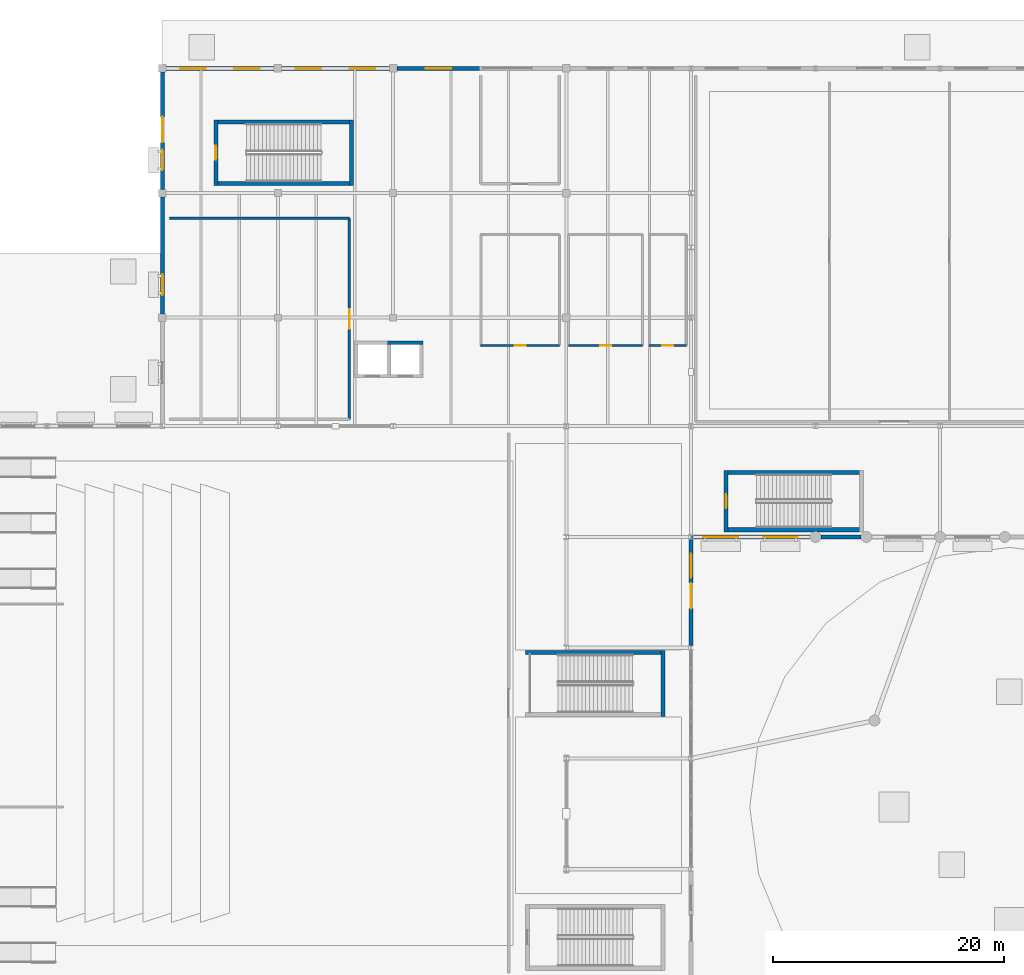
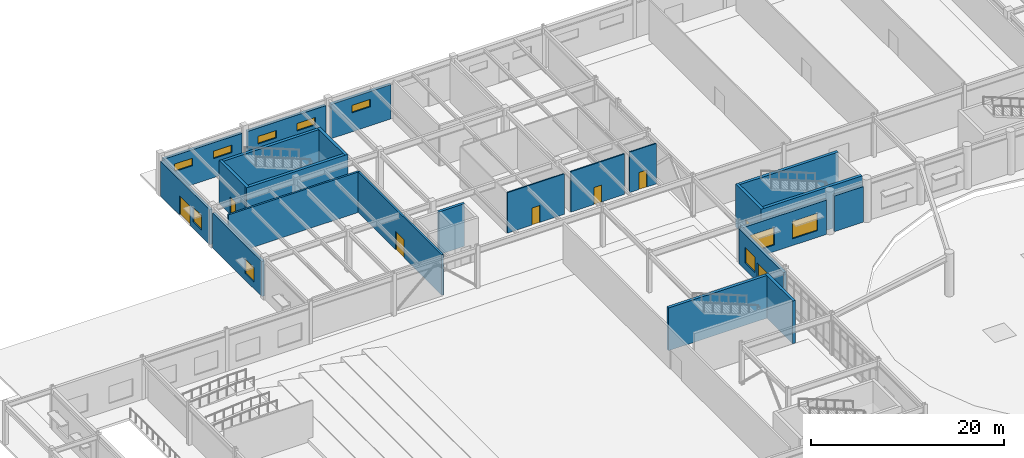
# One storey, part 31 of 54: 23 walls, 10 windows, 8 doors, 18 openings.
"""IFC4 building model written with IfcOpenShell, lengths in metres."""

from ifc_helpers import new_model, si_unit, direction, frame, frame_2d, origin, place, context, subcontext, project, spatial, rectangle, extrude, material, layer, layer_set, type_object, element, fill, save


model = new_model("IFC4")

# Units and contexts
model_context = context("Model", 3, precision=1e-05, world=origin(), true_north=direction((0.0, 1.0)))
body_context = subcontext(model_context, "Body", "Model", "MODEL_VIEW")
ifc_project = project(units=[si_unit("LENGTHUNIT", "METRE"), si_unit("AREAUNIT", "SQUARE_METRE"), si_unit("VOLUMEUNIT", "CUBIC_METRE"), si_unit("PLANEANGLEUNIT", "RADIAN"), si_unit("MASSUNIT", "GRAM", prefix="KILO")], contexts=[model_context])

# Site, building, storey
site_placement = place(None, origin())
site = spatial("IfcSite", under=ifc_project, at=site_placement, CompositionType="ELEMENT")
building_placement = place(site_placement, origin())
building = spatial("IfcBuilding", under=site, at=building_placement, Name="Veldera Park Congress Hotel", CompositionType="ELEMENT")
storey_placement = place(building_placement, origin())
storey = spatial("IfcBuildingStorey", under=building, at=storey_placement, Name="L00", CompositionType="ELEMENT", Elevation=0.0)

# Wall, openings, door, window
ifc_material_1 = material(Name="Cross-laminated timber CLT V2M1.1", Category="wood")
ifc_layer_1 = layer(ifc_material_1, 0.320068359375)
ifc_layer_set_1 = layer_set([ifc_layer_1], Name="Cross-laminated timber CLT V2M1.1")
wall_type_1 = type_object("IfcWallType", Name="EW-CLT320", PredefinedType="STANDARD", material=ifc_layer_set_1)
wall_1_placement = place(storey_placement, frame((-47.39990234375, 57.677001953125, 0.0), z_axis=(0.0, 0.0, 1.0), x_axis=(0.0, -1.0, 0.0)))
wall_1 = element("IfcWall", 1, at=wall_1_placement, inside=storey, type_object=wall_type_1, Name="L00 Exterior Wall EW3-L00-0016", PredefinedType="STANDARD", context=body_context, shape_type="SweptSolid", body=[
    extrude(rectangle(XDim=10.154052734375, YDim=0.320068359375, at=frame_2d((5.0771484375, 0.0))), origin(), (0.0, 0.0, 1.0), 4.422119140625),
])
opening_1_placement = place(wall_1_placement, frame((3.876953125, 0.0, 0.0)))
opening_1 = element("IfcOpeningElement", 2, at=opening_1_placement, cuts=wall_1, Name="Opening ED-EXIT220", PredefinedType="OPENING", context=body_context, shape_type="SweptSolid", body=[
    extrude(rectangle(XDim=2.199951171875, YDim=2.39990234375, at=frame_2d((1.10009765625, 1.199951171875))), frame((0.0, 0.172119140625, 0.0), z_axis=(0.0, -1.0, 0.0), x_axis=(1.0, 0.0, 0.0)), (0.0, 0.0, 1.0), 0.343994140625),
])
opening_2_placement = place(wall_1_placement, frame((6.715576171875, 0.0, 0.85009765625)))
opening_2 = element("IfcOpeningElement", 3, at=opening_2_placement, cuts=wall_1, Name="Opening WIN-1800", PredefinedType="OPENING", context=body_context, shape_type="SweptSolid", body=[
    extrude(rectangle(XDim=1.800048828125, YDim=1.85009765625, at=frame_2d((0.89990234375, 0.925048828125))), frame((0.0, 0.172119140625, 0.0), z_axis=(0.0, -1.0, 0.0), x_axis=(1.0, 0.0, 0.0)), (0.0, 0.0, 1.0), 0.343994140625),
])
ifc_material_2 = material(Name="Anodised Aluminium Alloy 6063-T6", Category="aluminium")
door_type_1 = type_object("IfcDoorType", Name="ED-EXIT220", OperationType="DOUBLE_DOOR_SINGLE_SWING", PredefinedType="DOOR", material=ifc_material_2)
door_1_placement = place(opening_1_placement, frame((2.199951171875, 0.0, 0.0), z_axis=(0.0, 0.0, 1.0), x_axis=(-1.0, 0.0, 0.0)))
door_1 = element("IfcDoor", 4, at=door_1_placement, inside=storey, type_object=door_type_1, Name="Exterior Door ED-09 (DR3-EXT-L00-0010)", OperationType="DOUBLE_DOOR_SINGLE_SWING", OverallHeight=2.39990234375, OverallWidth=2.199951171875, PredefinedType="DOOR", context=body_context, shape_type="SweptSolid", body=[
    extrude(rectangle(XDim=2.199951171875, YDim=2.39990234375, at=frame_2d((1.10009765625, 1.199951171875))), frame((0.0, 0.02490234375, 0.0), z_axis=(0.0, -1.0, 0.0), x_axis=(1.0, 0.0, 0.0)), (0.0, 0.0, 1.0), 0.050048828125),
])
fill(opening_1, door_1)
ifc_material_3 = material(Name="Low-E Triple Insulating Glass Unit (SHGC 0.22)", Category="glass")
window_type_1 = type_object("IfcWindowType", Name="WIN-1800", PartitioningType="SINGLE_PANEL", PredefinedType="WINDOW", material=ifc_material_3)
window_1_placement = place(opening_2_placement, origin())
window_1 = element("IfcWindow", 5, at=window_1_placement, inside=storey, type_object=window_type_1, Name="L00 Window WIN-1800 14", OverallHeight=1.85009765625, OverallWidth=1.800048828125, PartitioningType="SINGLE_PANEL", PredefinedType="WINDOW", context=body_context, shape_type="SweptSolid", body=[
    extrude(rectangle(XDim=1.800048828125, YDim=1.85009765625, at=frame_2d((0.89990234375, 0.925048828125))), frame((0.0, 0.030029296875, 0.0), z_axis=(0.0, -1.0, 0.0), x_axis=(1.0, 0.0, 0.0)), (0.0, 0.0, 1.0), 0.06005859375),
])
fill(opening_2, window_1)

# Wall, opening, window
wall_2_placement = place(storey_placement, frame((-47.39990234375, 46.876953125, 0.0), z_axis=(0.0, 0.0, 1.0), x_axis=(0.0, -1.0, 0.0)))
wall_2 = element("IfcWall", 6, at=wall_2_placement, inside=storey, type_object=wall_type_1, Name="L00 Exterior Wall EW3-L00-0017", PredefinedType="STANDARD", context=body_context, shape_type="SweptSolid", body=[
    extrude(rectangle(XDim=10.154052734375, YDim=0.320068359375, at=frame_2d((5.0771484375, 0.0))), origin(), (0.0, 0.0, 1.0), 4.422119140625),
])
opening_3_placement = place(wall_2_placement, frame((6.715576171875, 0.0, 0.85009765625)))
opening_3 = element("IfcOpeningElement", 7, at=opening_3_placement, cuts=wall_2, Name="Opening WIN-1800", PredefinedType="OPENING", context=body_context, shape_type="SweptSolid", body=[
    extrude(rectangle(XDim=1.800048828125, YDim=1.85009765625, at=frame_2d((0.89990234375, 0.925048828125))), frame((0.0, 0.172119140625, 0.0), z_axis=(0.0, -1.0, 0.0), x_axis=(1.0, 0.0, 0.0)), (0.0, 0.0, 1.0), 0.343994140625),
])
window_2_placement = place(opening_3_placement, origin())
window_2 = element("IfcWindow", 8, at=window_2_placement, inside=storey, type_object=window_type_1, Name="L00 Window WIN-1800 15", OverallHeight=1.85009765625, OverallWidth=1.800048828125, PartitioningType="SINGLE_PANEL", PredefinedType="WINDOW", context=body_context, shape_type="SweptSolid", body=[
    extrude(rectangle(XDim=1.800048828125, YDim=1.85009765625, at=frame_2d((0.89990234375, 0.925048828125))), frame((0.0, 0.030029296875, 0.0), z_axis=(0.0, -1.0, 0.0), x_axis=(1.0, 0.0, 0.0)), (0.0, 0.0, 1.0), 0.06005859375),
])
fill(opening_3, window_2)

# Wall, openings, door, window
ifc_material_4 = material(Name="Architectural Sandstone Cladding (ASTM C616)", Category="masonry")
ifc_layer_2 = layer(ifc_material_4, 0.360107421875)
ifc_layer_set_2 = layer_set([ifc_layer_2], Name="Architectural Sandstone Cladding (ASTM C616)")
wall_type_2 = type_object("IfcWallType", Name="EW-STONE360", PredefinedType="STANDARD", material=ifc_layer_set_2)
wall_3_placement = place(storey_placement, frame((-1.60009765625, 7.988525390625, 0.0), z_axis=(0.0, 0.0, 1.0), x_axis=(0.0, 1.0, 0.0)))
wall_3 = element("IfcWall", 9, at=wall_3_placement, inside=storey, type_object=wall_type_2, Name="L00 Exterior Wall EW3-L00-0012", PredefinedType="STANDARD", context=body_context, shape_type="SweptSolid", body=[
    extrude(rectangle(XDim=9.222900390625, YDim=0.360107421875, at=frame_2d((4.611328125, 0.0))), origin(), (0.0, 0.0, 1.0), 4.422119140625),
])
opening_4_placement = place(wall_3_placement, frame((3.21142578125, 0.0, 0.0)))
opening_4 = element("IfcOpeningElement", 10, at=opening_4_placement, cuts=wall_3, Name="Opening ED-EXIT220", PredefinedType="OPENING", context=body_context, shape_type="SweptSolid", body=[
    extrude(rectangle(XDim=2.199951171875, YDim=2.39990234375, at=frame_2d((1.10009765625, 1.199951171875))), frame((0.0, 0.192138671875, 0.0), z_axis=(0.0, -1.0, 0.0), x_axis=(1.0, 0.0, 0.0)), (0.0, 0.0, 1.0), 0.384033203125),
])
opening_5_placement = place(wall_3_placement, frame((5.8671875, 0.0, 0.85009765625)))
opening_5 = element("IfcOpeningElement", 11, at=opening_5_placement, cuts=wall_3, Name="Opening WIN-2100", PredefinedType="OPENING", context=body_context, shape_type="SweptSolid", body=[
    extrude(rectangle(XDim=2.10009765625, YDim=1.949951171875, at=frame_2d((1.050048828125, 0.97509765625))), frame((0.0, 0.192138671875, 0.0), z_axis=(0.0, -1.0, 0.0), x_axis=(1.0, 0.0, 0.0)), (0.0, 0.0, 1.0), 0.384033203125),
])
door_2_placement = place(opening_4_placement, frame((2.199951171875, 0.0, 0.0), z_axis=(0.0, 0.0, 1.0), x_axis=(-1.0, 0.0, 0.0)))
door_2 = element("IfcDoor", 12, at=door_2_placement, inside=storey, type_object=door_type_1, Name="Exterior Door ED-08 (DR3-EXT-L00-0009)", OperationType="DOUBLE_DOOR_SINGLE_SWING", OverallHeight=2.39990234375, OverallWidth=2.199951171875, PredefinedType="DOOR", context=body_context, shape_type="SweptSolid", body=[
    extrude(rectangle(XDim=2.199951171875, YDim=2.39990234375, at=frame_2d((1.10009765625, 1.199951171875))), frame((0.0, 0.02490234375, 0.0), z_axis=(0.0, -1.0, 0.0), x_axis=(1.0, 0.0, 0.0)), (0.0, 0.0, 1.0), 0.050048828125),
])
fill(opening_4, door_2)
window_type_2 = type_object("IfcWindowType", Name="WIN-2100", PartitioningType="DOUBLE_PANEL_VERTICAL", PredefinedType="WINDOW", material=ifc_material_3)
window_3_placement = place(opening_5_placement, origin())
window_3 = element("IfcWindow", 13, at=window_3_placement, inside=storey, type_object=window_type_2, Name="L00 Window WIN-2100 7", OverallHeight=1.949951171875, OverallWidth=2.10009765625, PartitioningType="DOUBLE_PANEL_VERTICAL", PredefinedType="WINDOW", context=body_context, shape_type="SweptSolid", body=[
    extrude(rectangle(XDim=2.10009765625, YDim=1.949951171875, at=frame_2d((1.050048828125, 0.97509765625))), frame((0.0, 0.030029296875, 0.0), z_axis=(0.0, -1.0, 0.0), x_axis=(1.0, 0.0, 0.0)), (0.0, 0.0, 1.0), 0.06005859375),
])
fill(opening_5, window_3)

# Wall, opening, window
wall_4_placement = place(storey_placement, frame((-19.89794921875, 58.0, 0.0), z_axis=(0.0, 0.0, 1.0), x_axis=(-1.0, 0.0, 0.0)))
wall_4 = element("IfcWall", 14, at=wall_4_placement, inside=storey, type_object=wall_type_2, Name="L00 Exterior Wall EW3-L00-0021", PredefinedType="STANDARD", context=body_context, shape_type="SweptSolid", body=[
    extrude(rectangle(XDim=7.178955078125, YDim=0.360107421875, at=frame_2d((3.58935546875, 0.0))), origin(), (0.0, 0.0, 1.0), 4.3359375),
])
opening_6_placement = place(wall_4_placement, frame((2.489501953125, 0.0, 2.39990234375)))
opening_6 = element("IfcOpeningElement", 15, at=opening_6_placement, cuts=wall_4, Name="Opening WIN-CLR2", PredefinedType="OPENING", context=body_context, shape_type="SweptSolid", body=[
    extrude(rectangle(XDim=2.199951171875, YDim=0.949951171875, at=frame_2d((1.10009765625, 0.47509765625))), frame((0.0, 0.192138671875, 0.0), z_axis=(0.0, -1.0, 0.0), x_axis=(1.0, 0.0, 0.0)), (0.0, 0.0, 1.0), 0.384033203125),
])
window_type_3 = type_object("IfcWindowType", Name="WIN-CLR2", PartitioningType="SINGLE_PANEL", PredefinedType="LIGHTDOME", material=ifc_material_3)
window_4_placement = place(opening_6_placement, origin())
window_4 = element("IfcWindow", 16, at=window_4_placement, inside=storey, type_object=window_type_3, Name="L00 Window WIN-CLR2 19", OverallHeight=0.949951171875, OverallWidth=2.199951171875, PartitioningType="SINGLE_PANEL", PredefinedType="LIGHTDOME", context=body_context, shape_type="SweptSolid", body=[
    extrude(rectangle(XDim=2.199951171875, YDim=0.949951171875, at=frame_2d((1.10009765625, 0.47509765625))), frame((0.0, 0.030029296875, 0.0), z_axis=(0.0, -1.0, 0.0), x_axis=(1.0, 0.0, 0.0)), (0.0, 0.0, 1.0), 0.06005859375),
])
fill(opening_6, window_4)

# Wall, openings, windows
wall_5_placement = place(storey_placement, frame((-27.722900390625, 58.0, 0.0), z_axis=(0.0, 0.0, 1.0), x_axis=(-1.0, 0.0, 0.0)))
wall_5 = element("IfcWall", 17, at=wall_5_placement, inside=storey, type_object=wall_type_2, Name="L00 Exterior Wall EW3-L00-0022", PredefinedType="STANDARD", context=body_context, shape_type="SweptSolid", body=[
    extrude(rectangle(XDim=9.35400390625, YDim=0.360107421875, at=frame_2d((4.677001953125, 0.0))), origin(), (0.0, 0.0, 1.0), 4.4140625),
])
opening_7_placement = place(wall_5_placement, frame((1.238525390625, 0.0, 2.39990234375)))
opening_7 = element("IfcOpeningElement", 18, at=opening_7_placement, cuts=wall_5, Name="Opening WIN-CLR2", PredefinedType="OPENING", context=body_context, shape_type="SweptSolid", body=[
    extrude(rectangle(XDim=2.199951171875, YDim=0.949951171875, at=frame_2d((1.10009765625, 0.47509765625))), frame((0.0, 0.192138671875, 0.0), z_axis=(0.0, -1.0, 0.0), x_axis=(1.0, 0.0, 0.0)), (0.0, 0.0, 1.0), 0.384033203125),
])
opening_8_placement = place(wall_5_placement, frame((5.91552734375, 0.0, 2.39990234375)))
opening_8 = element("IfcOpeningElement", 19, at=opening_8_placement, cuts=wall_5, Name="Opening WIN-CLR2", PredefinedType="OPENING", context=body_context, shape_type="SweptSolid", body=[
    extrude(rectangle(XDim=2.199951171875, YDim=0.949951171875, at=frame_2d((1.10009765625, 0.47509765625))), frame((0.0, 0.192138671875, 0.0), z_axis=(0.0, -1.0, 0.0), x_axis=(1.0, 0.0, 0.0)), (0.0, 0.0, 1.0), 0.384033203125),
])
window_5_placement = place(opening_7_placement, origin())
window_5 = element("IfcWindow", 20, at=window_5_placement, inside=storey, type_object=window_type_3, Name="L00 Window WIN-CLR2 20", OverallHeight=0.949951171875, OverallWidth=2.199951171875, PartitioningType="SINGLE_PANEL", PredefinedType="LIGHTDOME", context=body_context, shape_type="SweptSolid", body=[
    extrude(rectangle(XDim=2.199951171875, YDim=0.949951171875, at=frame_2d((1.10009765625, 0.47509765625))), frame((0.0, 0.030029296875, 0.0), z_axis=(0.0, -1.0, 0.0), x_axis=(1.0, 0.0, 0.0)), (0.0, 0.0, 1.0), 0.06005859375),
])
fill(opening_7, window_5)
window_6_placement = place(opening_8_placement, origin())
window_6 = element("IfcWindow", 21, at=window_6_placement, inside=storey, type_object=window_type_3, Name="L00 Window WIN-CLR2 21", OverallHeight=0.949951171875, OverallWidth=2.199951171875, PartitioningType="SINGLE_PANEL", PredefinedType="LIGHTDOME", context=body_context, shape_type="SweptSolid", body=[
    extrude(rectangle(XDim=2.199951171875, YDim=0.949951171875, at=frame_2d((1.10009765625, 0.47509765625))), frame((0.0, 0.030029296875, 0.0), z_axis=(0.0, -1.0, 0.0), x_axis=(1.0, 0.0, 0.0)), (0.0, 0.0, 1.0), 0.06005859375),
])
fill(opening_8, window_6)

wall_6_placement = place(storey_placement, frame((-37.722900390625, 58.0, 0.0), z_axis=(0.0, 0.0, 1.0), x_axis=(-1.0, 0.0, 0.0)))
wall_6 = element("IfcWall", 22, at=wall_6_placement, inside=storey, type_object=wall_type_2, Name="L00 Exterior Wall EW3-L00-0023", PredefinedType="STANDARD", context=body_context, shape_type="SweptSolid", body=[
    extrude(rectangle(XDim=9.35400390625, YDim=0.360107421875, at=frame_2d((4.677001953125, 0.0))), origin(), (0.0, 0.0, 1.0), 4.4140625),
])
opening_9_placement = place(wall_6_placement, frame((1.238525390625, 0.0, 2.39990234375)))
opening_9 = element("IfcOpeningElement", 23, at=opening_9_placement, cuts=wall_6, Name="Opening WIN-CLR2", PredefinedType="OPENING", context=body_context, shape_type="SweptSolid", body=[
    extrude(rectangle(XDim=2.199951171875, YDim=0.949951171875, at=frame_2d((1.10009765625, 0.47509765625))), frame((0.0, 0.192138671875, 0.0), z_axis=(0.0, -1.0, 0.0), x_axis=(1.0, 0.0, 0.0)), (0.0, 0.0, 1.0), 0.384033203125),
])
opening_10_placement = place(wall_6_placement, frame((5.91552734375, 0.0, 2.39990234375)))
opening_10 = element("IfcOpeningElement", 24, at=opening_10_placement, cuts=wall_6, Name="Opening WIN-CLR2", PredefinedType="OPENING", context=body_context, shape_type="SweptSolid", body=[
    extrude(rectangle(XDim=2.199951171875, YDim=0.949951171875, at=frame_2d((1.10009765625, 0.47509765625))), frame((0.0, 0.192138671875, 0.0), z_axis=(0.0, -1.0, 0.0), x_axis=(1.0, 0.0, 0.0)), (0.0, 0.0, 1.0), 0.384033203125),
])
window_7_placement = place(opening_9_placement, origin())
window_7 = element("IfcWindow", 25, at=window_7_placement, inside=storey, type_object=window_type_3, Name="L00 Window WIN-CLR2 22", OverallHeight=0.949951171875, OverallWidth=2.199951171875, PartitioningType="SINGLE_PANEL", PredefinedType="LIGHTDOME", context=body_context, shape_type="SweptSolid", body=[
    extrude(rectangle(XDim=2.199951171875, YDim=0.949951171875, at=frame_2d((1.10009765625, 0.47509765625))), frame((0.0, 0.030029296875, 0.0), z_axis=(0.0, -1.0, 0.0), x_axis=(1.0, 0.0, 0.0)), (0.0, 0.0, 1.0), 0.06005859375),
])
fill(opening_9, window_7)
window_8_placement = place(opening_10_placement, origin())
window_8 = element("IfcWindow", 26, at=window_8_placement, inside=storey, type_object=window_type_3, Name="L00 Window WIN-CLR2 23", OverallHeight=0.949951171875, OverallWidth=2.199951171875, PartitioningType="SINGLE_PANEL", PredefinedType="LIGHTDOME", context=body_context, shape_type="SweptSolid", body=[
    extrude(rectangle(XDim=2.199951171875, YDim=0.949951171875, at=frame_2d((1.10009765625, 0.47509765625))), frame((0.0, 0.030029296875, 0.0), z_axis=(0.0, -1.0, 0.0), x_axis=(1.0, 0.0, 0.0)), (0.0, 0.0, 1.0), 0.06005859375),
])
fill(opening_10, window_8)

wall_7_placement = place(storey_placement, frame((-1.592529296875, 17.39990234375, 0.0), z_axis=(0.0, 0.0, 1.0), x_axis=(1.0, 0.0, 0.0)))
wall_7 = element("IfcWall", 27, at=wall_7_placement, inside=storey, type_object=wall_type_2, Name="L00 Exterior Wall EW3-L00-0031", PredefinedType="STANDARD", context=body_context, shape_type="SweptSolid", body=[
    extrude(rectangle(XDim=10.319580078125, YDim=0.360107421875, at=frame_2d((5.15966796875, 0.0))), origin(), (0.0, 0.0, 1.0), 4.3359375),
])
opening_11_placement = place(wall_7_placement, frame((1.079833984375, 0.0, 0.85009765625)))
opening_11 = element("IfcOpeningElement", 28, at=opening_11_placement, cuts=wall_7, Name="Opening WIN-3000", PredefinedType="OPENING", context=body_context, shape_type="SweptSolid", body=[
    extrude(rectangle(XDim=3.0, YDim=2.199951171875, at=frame_2d((1.5, 1.10009765625))), frame((0.0, 0.192138671875, 0.0), z_axis=(0.0, -1.0, 0.0), x_axis=(1.0, 0.0, 0.0)), (0.0, 0.0, 1.0), 0.384033203125),
])
opening_12_placement = place(wall_7_placement, frame((6.23974609375, 0.0, 0.85009765625)))
opening_12 = element("IfcOpeningElement", 29, at=opening_12_placement, cuts=wall_7, Name="Opening WIN-3000", PredefinedType="OPENING", context=body_context, shape_type="SweptSolid", body=[
    extrude(rectangle(XDim=3.0, YDim=2.199951171875, at=frame_2d((1.5, 1.10009765625))), frame((0.0, 0.192138671875, 0.0), z_axis=(0.0, -1.0, 0.0), x_axis=(1.0, 0.0, 0.0)), (0.0, 0.0, 1.0), 0.384033203125),
])
window_type_4 = type_object("IfcWindowType", Name="WIN-3000", PartitioningType="TRIPLE_PANEL_VERTICAL", PredefinedType="WINDOW", material=ifc_material_3)
window_9_placement = place(opening_11_placement, origin())
window_9 = element("IfcWindow", 30, at=window_9_placement, inside=storey, type_object=window_type_4, Name="L00 Window WIN-3000 31", OverallHeight=2.199951171875, OverallWidth=3.0, PartitioningType="TRIPLE_PANEL_VERTICAL", PredefinedType="WINDOW", context=body_context, shape_type="SweptSolid", body=[
    extrude(rectangle(XDim=3.0, YDim=2.199951171875, at=frame_2d((1.5, 1.10009765625))), frame((0.0, 0.030029296875, 0.0), z_axis=(0.0, -1.0, 0.0), x_axis=(1.0, 0.0, 0.0)), (0.0, 0.0, 1.0), 0.06005859375),
])
fill(opening_11, window_9)
window_10_placement = place(opening_12_placement, origin())
window_10 = element("IfcWindow", 31, at=window_10_placement, inside=storey, type_object=window_type_4, Name="L00 Window WIN-3000 32", OverallHeight=2.199951171875, OverallWidth=3.0, PartitioningType="TRIPLE_PANEL_VERTICAL", PredefinedType="WINDOW", context=body_context, shape_type="SweptSolid", body=[
    extrude(rectangle(XDim=3.0, YDim=2.199951171875, at=frame_2d((1.5, 1.10009765625))), frame((0.0, 0.030029296875, 0.0), z_axis=(0.0, -1.0, 0.0), x_axis=(1.0, 0.0, 0.0)), (0.0, 0.0, 1.0), 0.06005859375),
])
fill(opening_12, window_10)

# Wall
wall_8_placement = place(storey_placement, frame((9.673095703125, 17.39990234375, 0.0), z_axis=(0.0, 0.0, 1.0), x_axis=(1.0, 0.0, 0.0)))
element("IfcWall", 32, at=wall_8_placement, inside=storey, type_object=wall_type_2, Name="L00 Exterior Wall EW3-L00-0032", PredefinedType="STANDARD", context=body_context, shape_type="SweptSolid", body=[
    extrude(rectangle(XDim=3.453857421875, YDim=0.360107421875, at=frame_2d((1.72705078125, 0.0))), origin(), (0.0, 0.0, 1.0), 4.5029296875),
])

# Wall, opening, door
ifc_material_5 = material(Name="Concrete f'c 40 MPa (5,800 psi)", Category="concrete")
ifc_layer_3 = layer(ifc_material_5, 0.219970703125)
ifc_layer_set_3 = layer_set([ifc_layer_3], Name="Concrete f'c 40 MPa (5,800 psi)")
wall_type_3 = type_object("IfcWallType", Name="IW-FIRE220", PredefinedType="STANDARD", material=ifc_layer_set_3)
wall_9_placement = place(storey_placement, frame((-31.199951171875, 27.60009765625, 0.0), z_axis=(0.0, 0.0, 1.0), x_axis=(0.0, 1.0, 0.0)))
wall_9 = element("IfcWall", 33, at=wall_9_placement, inside=storey, type_object=wall_type_3, Name="L00 Partition Wall IW3-L00-00050", PredefinedType="STANDARD", context=body_context, shape_type="SweptSolid", body=[
    extrude(rectangle(XDim=17.39990234375, YDim=0.219970703125, at=frame_2d((8.699951171875, 0.0))), origin(), (0.0, 0.0, 1.0), 5.1201171875),
])
opening_13_placement = place(wall_9_placement, frame((7.85009765625, 0.0, 0.0)))
opening_13 = element("IfcOpeningElement", 34, at=opening_13_placement, cuts=wall_9, Name="Opening ID-HALL170", PredefinedType="OPENING", context=body_context, shape_type="SweptSolid", body=[
    extrude(rectangle(XDim=1.699951171875, YDim=2.300048828125, at=frame_2d((0.85009765625, 1.14990234375))), frame((0.0, 0.1220703125, 0.0), z_axis=(0.0, -1.0, 0.0), x_axis=(1.0, 0.0, 0.0)), (0.0, 0.0, 1.0), 0.243896484375),
])
ifc_material_6 = material(Name="Solid Core White Oak Architectural Door", Category="wood")
door_type_2 = type_object("IfcDoorType", Name="ID-HALL170", OperationType="DOUBLE_DOOR_SINGLE_SWING", PredefinedType="DOOR", material=ifc_material_6)
door_3_placement = place(opening_13_placement, origin())
door_3 = element("IfcDoor", 35, at=door_3_placement, inside=storey, type_object=door_type_2, Name="L00 Main Banquet Production Kitchen Door ID3-L00-0019 (DR3-ID3-L00-0019)", OperationType="DOUBLE_DOOR_SINGLE_SWING", OverallHeight=2.300048828125, OverallWidth=1.699951171875, PredefinedType="DOOR", context=body_context, shape_type="SweptSolid", body=[
    extrude(rectangle(XDim=1.699951171875, YDim=2.300048828125, at=frame_2d((0.85009765625, 1.14990234375))), frame((0.0, 0.02490234375, 0.0), z_axis=(0.0, -1.0, 0.0), x_axis=(1.0, 0.0, 0.0)), (0.0, 0.0, 1.0), 0.050048828125),
])
fill(opening_13, door_3)

# Wall
wall_10_placement = place(storey_placement, frame((-31.199951171875, 45.0, 0.0), z_axis=(0.0, 0.0, 1.0), x_axis=(-1.0, 0.0, 0.0)))
element("IfcWall", 36, at=wall_10_placement, inside=storey, type_object=wall_type_3, Name="L00 Partition Wall IW3-L00-00051", PredefinedType="STANDARD", context=body_context, shape_type="SweptSolid", body=[
    extrude(rectangle(XDim=15.60009765625, YDim=0.219970703125, at=frame_2d((7.800048828125, 0.0))), origin(), (0.0, 0.0, 1.0), 5.1201171875),
])

# Wall, opening, door
ifc_material_7 = material(Name="Fire-Rated Gypsum Board on Cold-Formed Steel Studs", Category="steel")
ifc_layer_4 = layer(ifc_material_7, 0.14990234375)
ifc_layer_set_4 = layer_set([ifc_layer_4], Name="Fire-Rated Gypsum Board on Cold-Formed Steel Studs")
wall_type_4 = type_object("IfcWallType", Name="IW-PLMB150", PredefinedType="PLUMBINGWALL", material=ifc_layer_set_4)
wall_11_placement = place(storey_placement, frame((-19.800048828125, 34.0, 0.0), z_axis=(0.0, 0.0, 1.0), x_axis=(1.0, 0.0, 0.0)))
wall_11 = element("IfcWall", 37, at=wall_11_placement, inside=storey, type_object=wall_type_4, Name="L00 Partition Wall IW3-L00-00052", PredefinedType="PLUMBINGWALL", context=body_context, shape_type="SweptSolid", body=[
    extrude(rectangle(XDim=6.800048828125, YDim=0.14990234375, at=frame_2d((3.39990234375, 0.0))), origin(), (0.0, 0.0, 1.0), 5.1201171875),
])
opening_14_placement = place(wall_11_placement, frame((2.925048828125, 0.0, 0.0)))
opening_14 = element("IfcOpeningElement", 38, at=opening_14_placement, cuts=wall_11, Name="Opening ID-WC095", PredefinedType="OPENING", context=body_context, shape_type="SweptSolid", body=[
    extrude(rectangle(XDim=0.949951171875, YDim=2.14990234375, at=frame_2d((0.47509765625, 1.074951171875))), frame((0.0, 0.0869140625, 0.0), z_axis=(0.0, -1.0, 0.0), x_axis=(1.0, 0.0, 0.0)), (0.0, 0.0, 1.0), 0.173828125),
])
door_type_3 = type_object("IfcDoorType", Name="ID-WC095", OperationType="NOTDEFINED", PredefinedType="DOOR", material=ifc_material_6)
door_4_placement = place(opening_14_placement, origin())
door_4 = element("IfcDoor", 39, at=door_4_placement, inside=storey, type_object=door_type_3, Name="L00 Congress Public Male WC Door ID3-L00-0020 (DR3-ID3-L00-0020)", OperationType="SINGLE_SWING_LEFT", OverallHeight=2.14990234375, OverallWidth=0.949951171875, PredefinedType="DOOR", context=body_context, shape_type="SweptSolid", body=[
    extrude(rectangle(XDim=0.949951171875, YDim=2.14990234375, at=frame_2d((0.47509765625, 1.074951171875))), frame((0.0, 0.02490234375, 0.0), z_axis=(0.0, -1.0, 0.0), x_axis=(1.0, 0.0, 0.0)), (0.0, 0.0, 1.0), 0.050048828125),
])
fill(opening_14, door_4)

wall_12_placement = place(storey_placement, frame((-12.199951171875, 34.0, 0.0), z_axis=(0.0, 0.0, 1.0), x_axis=(1.0, 0.0, 0.0)))
wall_12 = element("IfcWall", 40, at=wall_12_placement, inside=storey, type_object=wall_type_4, Name="L00 Partition Wall IW3-L00-00056", PredefinedType="PLUMBINGWALL", context=body_context, shape_type="SweptSolid", body=[
    extrude(rectangle(XDim=6.39990234375, YDim=0.14990234375, at=frame_2d((3.199951171875, 0.0))), origin(), (0.0, 0.0, 1.0), 5.1201171875),
])
opening_15_placement = place(wall_12_placement, frame((2.72509765625, 0.0, 0.0)))
opening_15 = element("IfcOpeningElement", 41, at=opening_15_placement, cuts=wall_12, Name="Opening ID-WC095", PredefinedType="OPENING", context=body_context, shape_type="SweptSolid", body=[
    extrude(rectangle(XDim=0.949951171875, YDim=2.14990234375, at=frame_2d((0.47509765625, 1.074951171875))), frame((0.0, 0.0869140625, 0.0), z_axis=(0.0, -1.0, 0.0), x_axis=(1.0, 0.0, 0.0)), (0.0, 0.0, 1.0), 0.173828125),
])
door_5_placement = place(opening_15_placement, origin())
door_5 = element("IfcDoor", 42, at=door_5_placement, inside=storey, type_object=door_type_3, Name="L00 Congress Public Female WC Door ID3-L00-0021 (DR3-ID3-L00-0021)", OperationType="SINGLE_SWING_RIGHT", OverallHeight=2.14990234375, OverallWidth=0.949951171875, PredefinedType="DOOR", context=body_context, shape_type="SweptSolid", body=[
    extrude(rectangle(XDim=0.949951171875, YDim=2.14990234375, at=frame_2d((0.47509765625, 1.074951171875))), frame((0.0, 0.02490234375, 0.0), z_axis=(0.0, -1.0, 0.0), x_axis=(1.0, 0.0, 0.0)), (0.0, 0.0, 1.0), 0.050048828125),
])
fill(opening_15, door_5)

wall_13_placement = place(storey_placement, frame((-5.199951171875, 34.0, 0.0), z_axis=(0.0, 0.0, 1.0), x_axis=(1.0, 0.0, 0.0)))
wall_13 = element("IfcWall", 43, at=wall_13_placement, inside=storey, type_object=wall_type_4, Name="L00 Partition Wall IW3-L00-00060", PredefinedType="PLUMBINGWALL", context=body_context, shape_type="SweptSolid", body=[
    extrude(rectangle(XDim=3.199951171875, YDim=0.14990234375, at=frame_2d((1.60009765625, 0.0))), origin(), (0.0, 0.0, 1.0), 5.1201171875),
])
opening_16_placement = place(wall_13_placement, frame((1.125, 0.0, 0.0)))
opening_16 = element("IfcOpeningElement", 44, at=opening_16_placement, cuts=wall_13, Name="Opening ID-WC095", PredefinedType="OPENING", context=body_context, shape_type="SweptSolid", body=[
    extrude(rectangle(XDim=0.949951171875, YDim=2.14990234375, at=frame_2d((0.47509765625, 1.074951171875))), frame((0.0, 0.0869140625, 0.0), z_axis=(0.0, -1.0, 0.0), x_axis=(1.0, 0.0, 0.0)), (0.0, 0.0, 1.0), 0.173828125),
])
door_6_placement = place(opening_16_placement, origin())
door_6 = element("IfcDoor", 45, at=door_6_placement, inside=storey, type_object=door_type_3, Name="L00 Congress Accessible WC Door ID3-L00-0022 (DR3-ID3-L00-0022)", OperationType="SINGLE_SWING_LEFT", OverallHeight=2.14990234375, OverallWidth=0.949951171875, PredefinedType="DOOR", context=body_context, shape_type="SweptSolid", body=[
    extrude(rectangle(XDim=0.949951171875, YDim=2.14990234375, at=frame_2d((0.47509765625, 1.074951171875))), frame((0.0, 0.02490234375, 0.0), z_axis=(0.0, -1.0, 0.0), x_axis=(1.0, 0.0, 0.0)), (0.0, 0.0, 1.0), 0.050048828125),
])
fill(opening_16, door_6)

# Walls
ifc_layer_5 = layer(ifc_material_5, 0.35009765625)
ifc_layer_set_5 = layer_set([ifc_layer_5], Name="Concrete f'c 40 MPa (5,800 psi)")
wall_type_5 = type_object("IfcWallType", Name="SW-CORE350", PredefinedType="SHEAR", material=ifc_layer_set_5)
wall_14_placement = place(storey_placement, frame((-42.949951171875, 48.02490234375, 0.0), z_axis=(0.0, 0.0, 1.0), x_axis=(1.0, 0.0, 0.0)))
element("IfcWall", 46, at=wall_14_placement, inside=storey, type_object=wall_type_5, Name="Stair ST4 Core Wall L00-S", PredefinedType="SHEAR", context=body_context, shape_type="SweptSolid", body=[
    extrude(rectangle(XDim=12.099853515625, YDim=0.35009765625, at=frame_2d((6.0498046875, 0.0))), origin(), (0.0, 0.0, 1.0), 5.39990234375),
])
wall_15_placement = place(storey_placement, frame((-31.02490234375, 47.85009765625, 0.0), z_axis=(0.0, 0.0, 1.0), x_axis=(0.0, 1.0, 0.0)))
element("IfcWall", 47, at=wall_15_placement, inside=storey, type_object=wall_type_5, Name="Stair ST4 Core Wall L00-E", PredefinedType="SHEAR", context=body_context, shape_type="SweptSolid", body=[
    extrude(rectangle(XDim=5.699951171875, YDim=0.35009765625, at=frame_2d((2.85009765625, 0.0))), origin(), (0.0, 0.0, 1.0), 5.39990234375),
])
wall_16_placement = place(storey_placement, frame((-30.85009765625, 53.375, 0.0), z_axis=(0.0, 0.0, 1.0), x_axis=(-1.0, 0.0, 0.0)))
element("IfcWall", 48, at=wall_16_placement, inside=storey, type_object=wall_type_5, Name="Stair ST4 Core Wall L00-N", PredefinedType="SHEAR", context=body_context, shape_type="SweptSolid", body=[
    extrude(rectangle(XDim=12.099853515625, YDim=0.35009765625, at=frame_2d((6.0498046875, 0.0))), origin(), (0.0, 0.0, 1.0), 5.39990234375),
])

# Wall, opening, door
wall_17_placement = place(storey_placement, frame((-42.77490234375, 53.550048828125, 0.0), z_axis=(0.0, 0.0, 1.0), x_axis=(0.0, -1.0, 0.0)))
wall_17 = element("IfcWall", 49, at=wall_17_placement, inside=storey, type_object=wall_type_5, Name="Stair ST4 Core Wall L00-W", PredefinedType="SHEAR", context=body_context, shape_type="SweptSolid", body=[
    extrude(rectangle(XDim=5.699951171875, YDim=0.35009765625, at=frame_2d((2.85009765625, 0.0))), origin(), (0.0, 0.0, 1.0), 5.39990234375),
])
opening_17_placement = place(wall_17_placement, frame((2.25, 0.0, 0.0)))
opening_17 = element("IfcOpeningElement", 50, at=opening_17_placement, cuts=wall_17, Name="Opening ID-STAIR120", PredefinedType="OPENING", context=body_context, shape_type="SweptSolid", body=[
    extrude(rectangle(XDim=1.199951171875, YDim=2.199951171875, at=frame_2d((0.60009765625, 1.10009765625))), frame((0.0, 0.18701171875, 0.0), z_axis=(0.0, -1.0, 0.0), x_axis=(1.0, 0.0, 0.0)), (0.0, 0.0, 1.0), 0.3740234375),
])
ifc_material_8 = material(Name="Hollow Metal Fire-Rated Steel Door", Category="steel")
door_type_4 = type_object("IfcDoorType", Name="ID-STAIR120", OperationType="NOTDEFINED", PredefinedType="DOOR", material=ifc_material_8)
door_7_placement = place(opening_17_placement, origin())
door_7 = element("IfcDoor", 51, at=door_7_placement, inside=storey, type_object=door_type_4, Name="L00 Stair ST4 Fire Door (DR3-SD-ST4-L00)", OperationType="SINGLE_SWING_RIGHT", OverallHeight=2.199951171875, OverallWidth=1.199951171875, PredefinedType="DOOR", context=body_context, shape_type="SweptSolid", body=[
    extrude(rectangle(XDim=1.199951171875, YDim=2.199951171875, at=frame_2d((0.60009765625, 1.10009765625))), frame((0.0, 0.02490234375, 0.0), z_axis=(0.0, -1.0, 0.0), x_axis=(1.0, 0.0, 0.0)), (0.0, 0.0, 1.0), 0.050048828125),
])
fill(opening_17, door_7)

# Walls
for number, where, z_axis, x_axis, name in (
    (52, (1.25, 18.02490234375, 0.0), (0.0, 0.0, 1.0), (1.0, 0.0, 0.0), "Stair ST6 Core Wall L00-S"),
    (53, (13.35009765625, 22.97509765625, 0.0), (0.0, 0.0, 1.0), (-1.0, 0.0, 0.0), "Stair ST6 Core Wall L00-N"),
):
    element("IfcWall", number, at=place(storey_placement, frame(where, z_axis=z_axis, x_axis=x_axis)), inside=storey, type_object=wall_type_5, Name=name, PredefinedType="SHEAR", context=body_context, shape_type="SweptSolid", body=[
        extrude(rectangle(XDim=12.10009765625, YDim=0.35009765625, at=frame_2d((6.050048828125, 0.0))), origin(), (0.0, 0.0, 1.0), 5.39990234375),
    ])

# Wall, opening, door
wall_18_placement = place(storey_placement, frame((1.425048828125, 23.14990234375, 0.0), z_axis=(0.0, 0.0, 1.0), x_axis=(0.0, -1.0, 0.0)))
wall_18 = element("IfcWall", 54, at=wall_18_placement, inside=storey, type_object=wall_type_5, Name="Stair ST6 Core Wall L00-W", PredefinedType="SHEAR", context=body_context, shape_type="SweptSolid", body=[
    extrude(rectangle(XDim=5.2998046875, YDim=0.35009765625, at=frame_2d((2.64990234375, 0.0))), origin(), (0.0, 0.0, 1.0), 5.39990234375),
])
opening_18_placement = place(wall_18_placement, frame((2.050048828125, 0.0, 0.0)))
opening_18 = element("IfcOpeningElement", 55, at=opening_18_placement, cuts=wall_18, Name="Opening ID-STAIR120", PredefinedType="OPENING", context=body_context, shape_type="SweptSolid", body=[
    extrude(rectangle(XDim=1.199951171875, YDim=2.199951171875, at=frame_2d((0.60009765625, 1.10009765625))), frame((0.0, 0.18701171875, 0.0), z_axis=(0.0, -1.0, 0.0), x_axis=(1.0, 0.0, 0.0)), (0.0, 0.0, 1.0), 0.3740234375),
])
door_8_placement = place(opening_18_placement, origin())
door_8 = element("IfcDoor", 56, at=door_8_placement, inside=storey, type_object=door_type_4, Name="L00 Stair ST6 Fire Door (DR3-SD-ST6-L00)", OperationType="SINGLE_SWING_LEFT", OverallHeight=2.199951171875, OverallWidth=1.199951171875, PredefinedType="DOOR", context=body_context, shape_type="SweptSolid", body=[
    extrude(rectangle(XDim=1.199951171875, YDim=2.199951171875, at=frame_2d((0.60009765625, 1.10009765625))), frame((0.0, 0.02490234375, 0.0), z_axis=(0.0, -1.0, 0.0), x_axis=(1.0, 0.0, 0.0)), (0.0, 0.0, 1.0), 0.050048828125),
])
fill(opening_18, door_8)

# Walls
wall_19_placement = place(storey_placement, frame((-4.02490234375, 1.85009765625, 0.0), z_axis=(0.0, 0.0, 1.0), x_axis=(0.0, 1.0, 0.0)))
element("IfcWall", 57, at=wall_19_placement, inside=storey, type_object=wall_type_5, Name="Monumental Stair ST9 Wall L00-E", PredefinedType="SHEAR", context=body_context, shape_type="SweptSolid", body=[
    extrude(rectangle(XDim=5.699951171875, YDim=0.35009765625, at=frame_2d((2.85009765625, 0.0))), origin(), (0.0, 0.0, 1.0), 5.39990234375),
])
wall_20_placement = place(storey_placement, frame((-3.85009765625, 7.375, 0.0), z_axis=(0.0, 0.0, 1.0), x_axis=(-1.0, 0.0, 0.0)))
element("IfcWall", 58, at=wall_20_placement, inside=storey, type_object=wall_type_5, Name="Monumental Stair ST9 Wall L00-N", PredefinedType="SHEAR", context=body_context, shape_type="SweptSolid", body=[
    extrude(rectangle(XDim=12.099853515625, YDim=0.35009765625, at=frame_2d((6.0498046875, 0.0))), origin(), (0.0, 0.0, 1.0), 5.39990234375),
])
ifc_layer_6 = layer(ifc_material_5, 0.300048828125)
ifc_layer_set_6 = layer_set([ifc_layer_6], Name="Concrete f'c 40 MPa (5,800 psi)")
wall_type_6 = type_object("IfcWallType", Name="SW-SHFT300", PredefinedType="SHEAR", material=ifc_layer_set_6)
wall_21_placement = place(storey_placement, frame((-24.800048828125, 34.25, 0.0), z_axis=(0.0, 0.0, 1.0), x_axis=(-1.0, 0.0, 0.0)))
element("IfcWall", 59, at=wall_21_placement, inside=storey, type_object=wall_type_6, Name="Lift CL-02 Shaft Wall L00-N", PredefinedType="SHEAR", context=body_context, shape_type="SweptSolid", body=[
    extrude(rectangle(XDim=3.099853515625, YDim=0.300048828125, at=frame_2d((1.5498046875, 0.0))), origin(), (0.0, 0.0, 1.0), 5.39990234375),
])

save(model, "model.ifc")
